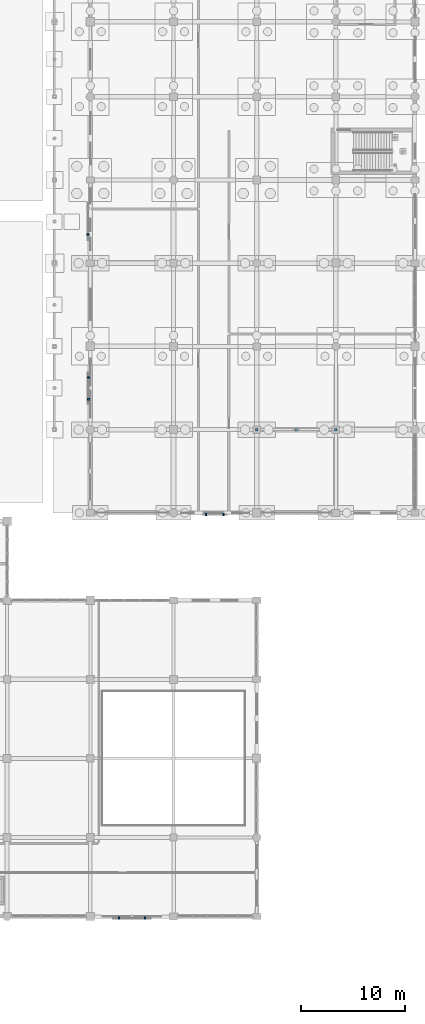
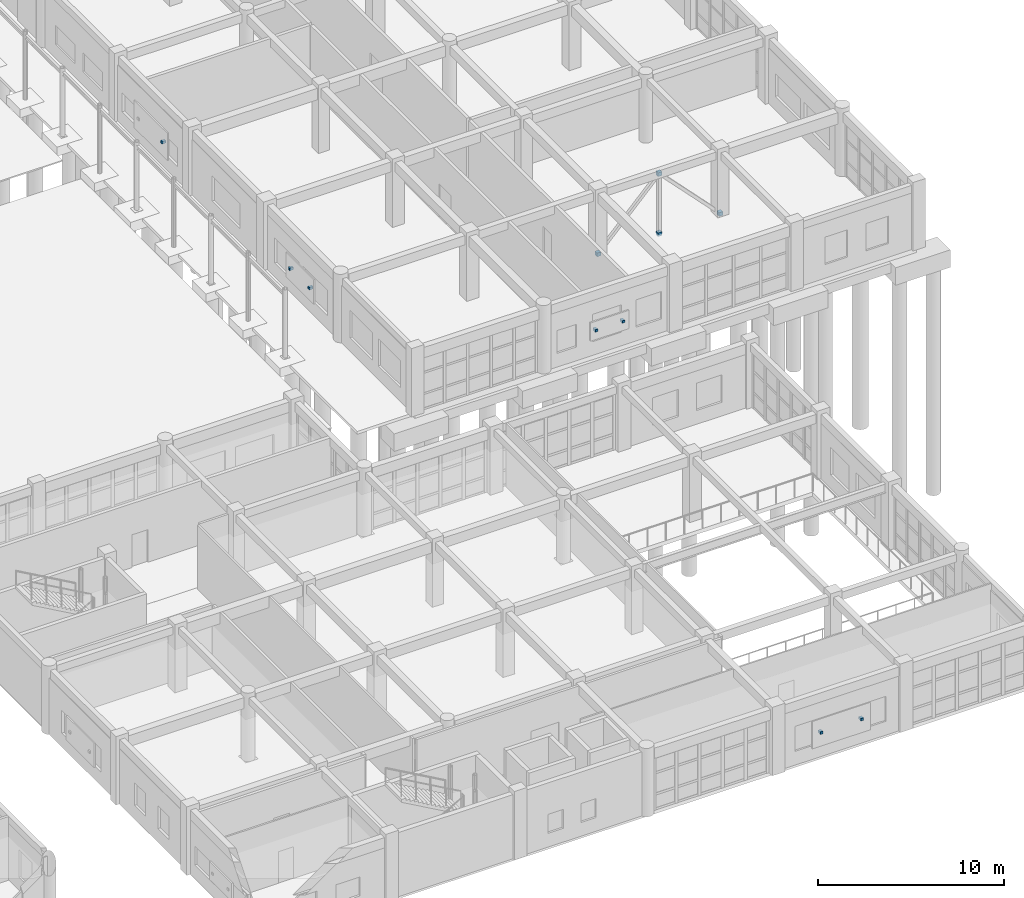
# One storey, part 148 of 166: 11 discrete accessories.
"""IFC4 building model written with IfcOpenShell, lengths in metres."""

from ifc_helpers import new_model, si_unit, direction, frame, origin, origin_2d, place, context, subcontext, project, spatial, rectangle, extrude, material, type_object, element, save


model = new_model("IFC4")

# Units and contexts
model_context = context("Model", 3, precision=1e-05, world=origin(), true_north=direction((0.0, 1.0)))
body_context = subcontext(model_context, "Body", "Model", "MODEL_VIEW")
ifc_project = project(units=[si_unit("LENGTHUNIT", "METRE"), si_unit("AREAUNIT", "SQUARE_METRE"), si_unit("VOLUMEUNIT", "CUBIC_METRE"), si_unit("PLANEANGLEUNIT", "RADIAN"), si_unit("MASSUNIT", "GRAM", prefix="KILO")], contexts=[model_context])

# Site, building, storey
site_placement = place(None, origin())
site = spatial("IfcSite", under=ifc_project, at=site_placement, CompositionType="ELEMENT")
building_placement = place(site_placement, origin())
building = spatial("IfcBuilding", under=site, at=building_placement, Name="Kharva Crest Polytechnic", CompositionType="ELEMENT")
storey_placement = place(building_placement, origin())
storey = spatial("IfcBuildingStorey", under=building, at=storey_placement, Name="L00", CompositionType="ELEMENT", Elevation=0.0)

# Discrete accessories
ifc_material_1 = material(Name="Anodised aluminium", Category="aluminium")
discrete_accessory_type_1 = type_object("IfcDiscreteAccessoryType", Name="ACC-BRK-JAALI", PredefinedType="BRACKET", material=ifc_material_1)
for number, where, z_axis, x_axis, name in (
    (1, (155.5400390625, -0.157470703125, 1.56982421875), (0.0, 0.0, 1.0), (1.0, 0.0, 0.0), "L00 Jaali Screen Bracket 12.1"),
    (2, (158.06005859375, -0.157470703125, 1.56982421875), (0.0, 0.0, 1.0), (1.0, 0.0, 0.0), "L00 Jaali Screen Bracket 12.2"),
    (3, (152.590087890625, 65.552490234375, 1.56982421875), (0.0, 0.0, 1.0), (0.0, 1.0, 0.0), "L00 Jaali Screen Bracket 21.2"),
    (4, (152.60498046875, 51.820556640625, 1.56982421875), (0.0, 0.0, 1.0), (0.0, 1.0, 0.0), "L00 Jaali Screen Bracket 22.1"),
    (5, (152.60498046875, 49.720458984375, 1.56982421875), (0.0, 0.0, 1.0), (0.0, 1.0, 0.0), "L00 Jaali Screen Bracket 22.2"),
    (6, (163.930419921875, 38.62744140625, 1.56982421875), (0.0, 0.0, 1.0), (1.0, 0.0, 0.0), "L00 Jaali Screen Bracket 23.1"),
    (7, (165.610595703125, 38.62744140625, 1.56982421875), (0.0, 0.0, 1.0), (1.0, 0.0, 0.0), "L00 Jaali Screen Bracket 23.2"),
):
    element("IfcDiscreteAccessory", number, at=place(storey_placement, frame(where, z_axis=z_axis, x_axis=x_axis)), inside=storey, type_object=discrete_accessory_type_1, Name=name, PredefinedType="BRACKET", context=body_context, shape_type="SweptSolid", body=[
        extrude(rectangle(XDim=0.159912109375, YDim=0.239990234375, at=origin_2d()), origin(), (0.0, 0.0, 1.0), 0.159912109375),
    ])
ifc_material_2 = material(Name="Steel S355", Category="steel")
discrete_accessory_type_2 = type_object("IfcDiscreteAccessoryType", Name="ACC-SHOE-BF240", PredefinedType="SHOE", material=ifc_material_2)
for number, where, z_axis, x_axis, name in (
    (8, (168.800048828125, 46.800048828125, -0.1201171875), (0.0, 0.0, 1.0), (1.0, 0.0, 0.0), "L00 Brace Foot Shoe 7A"),
    (9, (176.39990234375, 46.800048828125, -0.1201171875), (0.0, 0.0, 1.0), (1.0, 0.0, 0.0), "L00 Brace Foot Shoe 7B"),
    (10, (172.60009765625, 46.800048828125, 3.830078125), (0.0, 0.0, 1.0), (1.0, 0.0, 0.0), "L00 Brace TOP Shoe 7"),
    (11, (172.60009765625, 46.800048828125, -0.1201171875), (0.0, 0.0, 1.0), (1.0, 0.0, 0.0), "L00 Brace BOT Shoe 7"),
):
    element("IfcDiscreteAccessory", number, at=place(storey_placement, frame(where, z_axis=z_axis, x_axis=x_axis)), inside=storey, type_object=discrete_accessory_type_2, Name=name, PredefinedType="SHOE", context=body_context, shape_type="SweptSolid", body=[
        extrude(rectangle(XDim=0.239990234375, YDim=0.239990234375, at=origin_2d()), origin(), (0.0, 0.0, 1.0), 0.239990234375),
    ])

save(model, "model.ifc")
